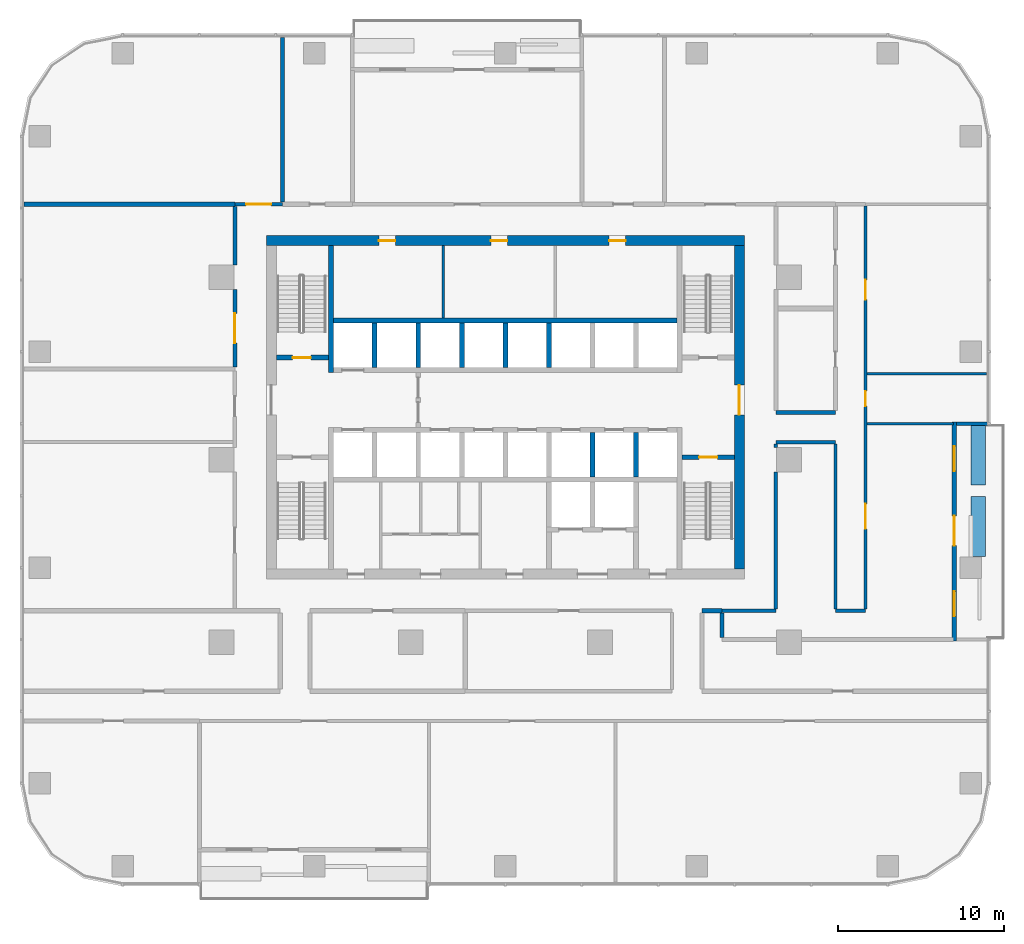
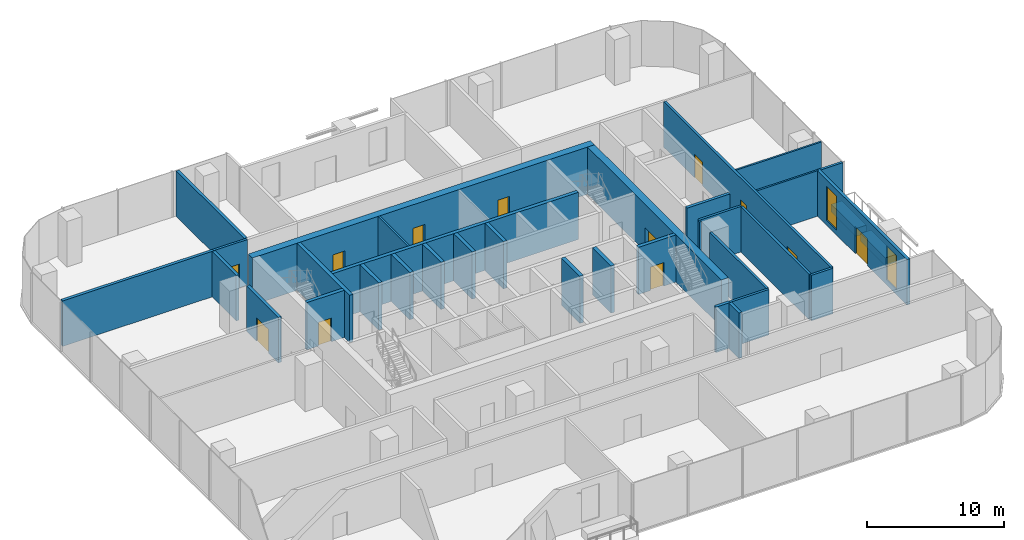
# One storey, part 9 of 14: 35 walls, 12 doors, 2 windows, 14 openings.
"""IFC4 building model written with IfcOpenShell, lengths in metres."""

from ifc_helpers import new_model, si_unit, direction, frame, frame_2d, origin, place, context, subcontext, project, spatial, rectangle, extrude, material, layer, layer_set, type_object, element, fill, save


model = new_model("IFC4")

# Units and contexts
model_context = context("Model", 3, precision=1e-05, world=origin(), true_north=direction((0.0, 1.0)))
body_context = subcontext(model_context, "Body", "Model", "MODEL_VIEW")
ifc_project = project(units=[si_unit("LENGTHUNIT", "METRE"), si_unit("AREAUNIT", "SQUARE_METRE"), si_unit("VOLUMEUNIT", "CUBIC_METRE"), si_unit("PLANEANGLEUNIT", "RADIAN"), si_unit("MASSUNIT", "GRAM", prefix="KILO")], contexts=[model_context])

# Site, building, storey
site_placement = place(None, origin())
site = spatial("IfcSite", under=ifc_project, at=site_placement, CompositionType="ELEMENT")
building_placement = place(site_placement, origin())
building = spatial("IfcBuilding", under=site, at=building_placement, Name="Mopane Tessera Tower", CompositionType="ELEMENT")
storey_placement = place(building_placement, frame((0.0, 0.0, 139.60009765625)))
storey = spatial("IfcBuildingStorey", under=building, at=storey_placement, Name="L28", CompositionType="ELEMENT", Elevation=139.60009765625)

# Wall
ifc_material_1 = material(Name="Fire-rated gypsum board partition")
ifc_layer_1 = layer(ifc_material_1, 0.14990234375)
ifc_layer_set_1 = layer_set([ifc_layer_1], Name="Fire-rated gypsum board partition")
wall_type_1 = type_object("IfcWallType", Name="Core room partition 150 mm", PredefinedType="PARTITIONING", material=ifc_layer_set_1)
wall_1_placement = place(storey_placement, frame((-3.75, 8.550048828125, 0.0), z_axis=(0.0, 0.0, 1.0), x_axis=(0.0, 1.0, 0.0)))
element("IfcWall", 1, at=wall_1_placement, inside=storey, type_object=wall_type_1, Name="L28 Room partition", PredefinedType="PARTITIONING", context=body_context, shape_type="SweptSolid", body=[
    extrude(rectangle(XDim=4.349853515625, YDim=0.14990234375, at=frame_2d((2.1748046875, 0.0))), origin(), (0.0, 0.0, 1.0), 4.199951171875),
])

# Wall, openings, doors
ifc_material_2 = material(Name="Concrete C70/85", Category="concrete")
ifc_layer_2 = layer(ifc_material_2, 0.60009765625)
ifc_layer_set_2 = layer_set([ifc_layer_2], Name="Concrete C70/85")
wall_type_2 = type_object("IfcWallType", Name="Core shear wall 600 mm", PredefinedType="SHEAR", material=ifc_layer_set_2)
wall_2_placement = place(storey_placement, frame((-14.39990234375, 13.199951171875, 0.0), z_axis=(0.0, 0.0, 1.0), x_axis=(1.0, 0.0, 0.0)))
wall_2 = element("IfcWall", 2, at=wall_2_placement, inside=storey, type_object=wall_type_2, Name="L28 Core wall north", PredefinedType="SHEAR", context=body_context, shape_type="SweptSolid", body=[
    extrude(rectangle(XDim=28.7998046875, YDim=0.60009765625, at=frame_2d((14.39990234375, 0.0))), origin(), (0.0, 0.0, 1.0), 4.199951171875),
])
opening_1_placement = place(wall_2_placement, frame((6.77490234375, 0.0, 0.0)))
opening_1 = element("IfcOpeningElement", 3, at=opening_1_placement, cuts=wall_2, Name="Opening RD1", PredefinedType="OPENING", context=body_context, shape_type="SweptSolid", body=[
    extrude(rectangle(XDim=1.0, YDim=2.10009765625, at=frame_2d((0.5, 1.050048828125))), frame((0.0, 0.31201171875, 0.0), z_axis=(0.0, -1.0, 0.0), x_axis=(1.0, 0.0, 0.0)), (0.0, 0.0, 1.0), 0.6240234375),
])
opening_2_placement = place(wall_2_placement, frame((13.52490234375, 0.0, 0.0)))
opening_2 = element("IfcOpeningElement", 4, at=opening_2_placement, cuts=wall_2, Name="Opening RD1", PredefinedType="OPENING", context=body_context, shape_type="SweptSolid", body=[
    extrude(rectangle(XDim=1.0, YDim=2.10009765625, at=frame_2d((0.5, 1.050048828125))), frame((0.0, 0.31201171875, 0.0), z_axis=(0.0, -1.0, 0.0), x_axis=(1.0, 0.0, 0.0)), (0.0, 0.0, 1.0), 0.6240234375),
])
opening_3_placement = place(wall_2_placement, frame((20.64990234375, 0.0, 0.0)))
opening_3 = element("IfcOpeningElement", 5, at=opening_3_placement, cuts=wall_2, Name="Opening RD1", PredefinedType="OPENING", context=body_context, shape_type="SweptSolid", body=[
    extrude(rectangle(XDim=1.0, YDim=2.10009765625, at=frame_2d((0.5, 1.050048828125))), frame((0.0, 0.31201171875, 0.0), z_axis=(0.0, -1.0, 0.0), x_axis=(1.0, 0.0, 0.0)), (0.0, 0.0, 1.0), 0.6240234375),
])
ifc_material_3 = material(Name="Timber door", Category="wood")
door_type_1 = type_object("IfcDoorType", Name="Core room door 1000 x 2100", OperationType="SINGLE_SWING_LEFT", PredefinedType="DOOR", material=ifc_material_3)
door_1_placement = place(opening_1_placement, origin())
door_1 = element("IfcDoor", 6, at=door_1_placement, inside=storey, type_object=door_type_1, Name="L28 Room door", OperationType="SINGLE_SWING_LEFT", OverallHeight=2.10009765625, OverallWidth=1.0, PredefinedType="DOOR", context=body_context, shape_type="SweptSolid", body=[
    extrude(rectangle(XDim=1.0, YDim=2.10009765625, at=frame_2d((0.5, 1.050048828125))), frame((0.0, 0.02490234375, 0.0), z_axis=(0.0, -1.0, 0.0), x_axis=(1.0, 0.0, 0.0)), (0.0, 0.0, 1.0), 0.050048828125),
])
fill(opening_1, door_1)
door_2_placement = place(opening_2_placement, origin())
door_2 = element("IfcDoor", 7, at=door_2_placement, inside=storey, type_object=door_type_1, Name="L28 Room door", OperationType="SINGLE_SWING_LEFT", OverallHeight=2.10009765625, OverallWidth=1.0, PredefinedType="DOOR", context=body_context, shape_type="SweptSolid", body=[
    extrude(rectangle(XDim=1.0, YDim=2.10009765625, at=frame_2d((0.5, 1.050048828125))), frame((0.0, 0.02490234375, 0.0), z_axis=(0.0, -1.0, 0.0), x_axis=(1.0, 0.0, 0.0)), (0.0, 0.0, 1.0), 0.050048828125),
])
fill(opening_2, door_2)
door_3_placement = place(opening_3_placement, origin())
door_3 = element("IfcDoor", 8, at=door_3_placement, inside=storey, type_object=door_type_1, Name="L28 Room door", OperationType="SINGLE_SWING_LEFT", OverallHeight=2.10009765625, OverallWidth=1.0, PredefinedType="DOOR", context=body_context, shape_type="SweptSolid", body=[
    extrude(rectangle(XDim=1.0, YDim=2.10009765625, at=frame_2d((0.5, 1.050048828125))), frame((0.0, 0.02490234375, 0.0), z_axis=(0.0, -1.0, 0.0), x_axis=(1.0, 0.0, 0.0)), (0.0, 0.0, 1.0), 0.050048828125),
])
fill(opening_3, door_3)

# Wall, opening, door
wall_3_placement = place(storey_placement, frame((14.10009765625, -6.60009765625, 0.0), z_axis=(0.0, 0.0, 1.0), x_axis=(0.0, 1.0, 0.0)))
wall_3 = element("IfcWall", 9, at=wall_3_placement, inside=storey, type_object=wall_type_2, Name="L28 Core wall east", PredefinedType="SHEAR", context=body_context, shape_type="SweptSolid", body=[
    extrude(rectangle(XDim=19.5, YDim=0.60009765625, at=frame_2d((9.75, 0.0))), origin(), (0.0, 0.0, 1.0), 4.199951171875),
])
opening_4_placement = place(wall_3_placement, frame((9.300048828125, 0.0, 0.0)))
opening_4 = element("IfcOpeningElement", 10, at=opening_4_placement, cuts=wall_3, Name="Opening SD2", PredefinedType="OPENING", context=body_context, shape_type="SweptSolid", body=[
    extrude(rectangle(XDim=1.800048828125, YDim=2.10009765625, at=frame_2d((0.89990234375, 1.050048828125))), frame((0.0, 0.31201171875, 0.0), z_axis=(0.0, -1.0, 0.0), x_axis=(1.0, 0.0, 0.0)), (0.0, 0.0, 1.0), 0.6240234375),
])
ifc_material_4 = material(Name="Steel fire door", Category="steel")
door_type_2 = type_object("IfcDoorType", Name="Core entrance double door 1800 x 2100", OperationType="DOUBLE_DOOR_SINGLE_SWING", PredefinedType="DOOR", material=ifc_material_4)
door_4_placement = place(opening_4_placement, origin())
door_4 = element("IfcDoor", 11, at=door_4_placement, inside=storey, type_object=door_type_2, Name="L28 Core entrance door east", OperationType="DOUBLE_DOOR_SINGLE_SWING", OverallHeight=2.10009765625, OverallWidth=1.800048828125, PredefinedType="DOOR", context=body_context, shape_type="SweptSolid", body=[
    extrude(rectangle(XDim=1.800048828125, YDim=2.10009765625, at=frame_2d((0.89990234375, 1.050048828125))), frame((0.0, 0.02490234375, 0.0), z_axis=(0.0, -1.0, 0.0), x_axis=(1.0, 0.0, 0.0)), (0.0, 0.0, 1.0), 0.050048828125),
])
fill(opening_4, door_4)

# Walls
ifc_material_5 = material(Name="Concrete C60/75", Category="concrete")
ifc_layer_3 = layer(ifc_material_5, 0.300048828125)
ifc_layer_set_3 = layer_set([ifc_layer_3], Name="Concrete C60/75")
wall_type_3 = type_object("IfcWallType", Name="Core spine wall 300 mm", PredefinedType="SHEAR", material=ifc_layer_set_3)
wall_4_placement = place(storey_placement, frame((-10.5, 5.25, 0.0), z_axis=(0.0, 0.0, 1.0), x_axis=(0.0, 1.0, 0.0)))
element("IfcWall", 12, at=wall_4_placement, inside=storey, type_object=wall_type_3, Name="L28 Core spine wall", PredefinedType="SHEAR", context=body_context, shape_type="SweptSolid", body=[
    extrude(rectangle(XDim=7.64990234375, YDim=0.300048828125, at=frame_2d((3.824951171875, 0.0))), origin(), (0.0, 0.0, 1.0), 4.199951171875),
])
ifc_material_6 = material(Name="Gypsum board on steel studs, two layers each face, mineral wool infill", Category="steel")
ifc_layer_4 = layer(ifc_material_6, 0.199951171875)
ifc_layer_set_4 = layer_set([ifc_layer_4], Name="Gypsum board on steel studs, two layers each face, mineral wool infill")
wall_type_4 = type_object("IfcWallType", Name="Gypsum board corridor wall 200, rated EI 60", PredefinedType="PARTITIONING", material=ifc_layer_set_4)
wall_5_placement = place(storey_placement, frame((13.050048828125, -9.10009765625, 0.0), z_axis=(0.0, 0.0, 1.0), x_axis=(1.0, 0.0, 0.0)))
element("IfcWall", 13, at=wall_5_placement, inside=storey, type_object=wall_type_4, Name="Partition L28:009", PredefinedType="PARTITIONING", context=body_context, shape_type="SweptSolid", body=[
    extrude(rectangle(XDim=3.25, YDim=0.199951171875, at=frame_2d((1.625, 0.0))), origin(), (0.0, 0.0, 1.0), 4.0498046875),
])
wall_6_placement = place(storey_placement, frame((19.89990234375, -9.10009765625, 0.0), z_axis=(0.0, 0.0, 1.0), x_axis=(1.0, 0.0, 0.0)))
element("IfcWall", 14, at=wall_6_placement, inside=storey, type_object=wall_type_4, Name="Partition L28:010", PredefinedType="PARTITIONING", context=body_context, shape_type="SweptSolid", body=[
    extrude(rectangle(XDim=1.800048828125, YDim=0.199951171875, at=frame_2d((0.89990234375, 0.0))), origin(), (0.0, 0.0, 1.0), 4.0498046875),
])
wall_7_placement = place(storey_placement, frame((16.300048828125, 1.050048828125, 0.0), z_axis=(0.0, 0.0, 1.0), x_axis=(1.0, 0.0, 0.0)))
element("IfcWall", 15, at=wall_7_placement, inside=storey, type_object=wall_type_4, Name="Partition L28:014", PredefinedType="PARTITIONING", context=body_context, shape_type="SweptSolid", body=[
    extrude(rectangle(XDim=3.599853515625, YDim=0.199951171875, at=frame_2d((1.7998046875, 0.0))), origin(), (0.0, 0.0, 1.0), 4.0498046875),
])

# Wall, opening, door
wall_8_placement = place(storey_placement, frame((-16.300048828125, 15.39990234375, 0.0), z_axis=(0.0, 0.0, 1.0), x_axis=(1.0, 0.0, 0.0)))
wall_8 = element("IfcWall", 16, at=wall_8_placement, inside=storey, type_object=wall_type_4, Name="Partition L28:022", PredefinedType="PARTITIONING", context=body_context, shape_type="SweptSolid", body=[
    extrude(rectangle(XDim=2.860107421875, YDim=0.199951171875, at=frame_2d((1.43017578125, 0.0))), origin(), (0.0, 0.0, 1.0), 4.0498046875),
])
opening_5_placement = place(wall_8_placement, frame((0.679931640625, 0.0, 0.0)))
opening_5 = element("IfcOpeningElement", 17, at=opening_5_placement, cuts=wall_8, Name="Opening L28-11", PredefinedType="OPENING", context=body_context, shape_type="SweptSolid", body=[
    extrude(rectangle(XDim=1.5, YDim=2.10009765625, at=frame_2d((0.75, 1.050048828125))), frame((0.0, 0.112060546875, 0.0), z_axis=(0.0, -1.0, 0.0), x_axis=(1.0, 0.0, 0.0)), (0.0, 0.0, 1.0), 0.223876953125),
])
ifc_material_7 = material(Name="Timber veneered steel-framed fire door", Category="steel")
door_type_3 = type_object("IfcDoorType", Name="Fire door pair FD60 1500 x 2100", OperationType="DOUBLE_DOOR_SINGLE_SWING", PredefinedType="DOOR", material=ifc_material_7)
door_5_placement = place(opening_5_placement, origin())
door_5 = element("IfcDoor", 18, at=door_5_placement, inside=storey, type_object=door_type_3, Name="Door L28-11", ObjectType="D17A", OperationType="DOUBLE_DOOR_SINGLE_SWING", OverallHeight=2.10009765625, OverallWidth=1.5, PredefinedType="DOOR", context=body_context, shape_type="SweptSolid", body=[
    extrude(rectangle(XDim=1.5, YDim=2.10009765625, at=frame_2d((0.75, 1.050048828125))), frame((0.0, 0.02490234375, 0.0), z_axis=(0.0, -1.0, 0.0), x_axis=(1.0, 0.0, 0.0)), (0.0, 0.0, 1.0), 0.050048828125),
])
fill(opening_5, door_5)

# Walls
wall_9_placement = place(storey_placement, frame((16.300048828125, -9.0, 0.0), z_axis=(0.0, 0.0, 1.0), x_axis=(0.0, 1.0, 0.0)))
element("IfcWall", 19, at=wall_9_placement, inside=storey, type_object=wall_type_4, Name="Partition L28:047", PredefinedType="PARTITIONING", context=body_context, shape_type="SweptSolid", body=[
    extrude(rectangle(XDim=8.25, YDim=0.199951171875, at=frame_2d((4.125, 0.0))), origin(), (0.0, 0.0, 1.0), 4.0498046875),
])
wall_10_placement = place(storey_placement, frame((16.300048828125, 0.75, 0.0), z_axis=(0.0, 0.0, 1.0), x_axis=(0.0, 1.0, 0.0)))
element("IfcWall", 20, at=wall_10_placement, inside=storey, type_object=wall_type_4, Name="Partition L28:048", PredefinedType="PARTITIONING", context=body_context, shape_type="SweptSolid", body=[
    extrude(rectangle(XDim=0.199951171875, YDim=0.199951171875, at=frame_2d((0.10009765625, 0.0))), origin(), (0.0, 0.0, 1.0), 4.0498046875),
])
wall_11_placement = place(storey_placement, frame((19.89990234375, -9.0, 0.0), z_axis=(0.0, 0.0, 1.0), x_axis=(0.0, 1.0, 0.0)))
element("IfcWall", 21, at=wall_11_placement, inside=storey, type_object=wall_type_4, Name="Partition L28:051", PredefinedType="PARTITIONING", context=body_context, shape_type="SweptSolid", body=[
    extrude(rectangle(XDim=9.949951171875, YDim=0.199951171875, at=frame_2d((4.97509765625, 0.0))), origin(), (0.0, 0.0, 1.0), 4.0498046875),
])

# Wall, openings, doors
wall_12_placement = place(storey_placement, frame((21.699951171875, -9.0, 0.0), z_axis=(0.0, 0.0, 1.0), x_axis=(0.0, 1.0, 0.0)))
wall_12 = element("IfcWall", 22, at=wall_12_placement, inside=storey, type_object=wall_type_4, Name="Partition L28:053", PredefinedType="PARTITIONING", context=body_context, shape_type="SweptSolid", body=[
    extrude(rectangle(XDim=24.300048828125, YDim=0.199951171875, at=frame_2d((12.14990234375, 0.0))), origin(), (0.0, 0.0, 1.0), 4.0498046875),
])
opening_6_placement = place(wall_12_placement, frame((18.64501953125, 0.0, 0.0)))
opening_6 = element("IfcOpeningElement", 23, at=opening_6_placement, cuts=wall_12, Name="Opening L28-07", PredefinedType="OPENING", context=body_context, shape_type="SweptSolid", body=[
    extrude(rectangle(XDim=1.199951171875, YDim=2.10009765625, at=frame_2d((0.60009765625, 1.050048828125))), frame((0.0, 0.112060546875, 0.0), z_axis=(0.0, -1.0, 0.0), x_axis=(1.0, 0.0, 0.0)), (0.0, 0.0, 1.0), 0.223876953125),
])
opening_7_placement = place(wall_12_placement, frame((4.83251953125, 0.0, 0.0)))
opening_7 = element("IfcOpeningElement", 24, at=opening_7_placement, cuts=wall_12, Name="Opening L28-14", PredefinedType="OPENING", context=body_context, shape_type="SweptSolid", body=[
    extrude(rectangle(XDim=1.5, YDim=2.10009765625, at=frame_2d((0.75, 1.050048828125))), frame((0.0, 0.112060546875, 0.0), z_axis=(0.0, -1.0, 0.0), x_axis=(1.0, 0.0, 0.0)), (0.0, 0.0, 1.0), 0.223876953125),
])
opening_8_placement = place(wall_12_placement, frame((12.2275390625, 0.0, 0.0)))
opening_8 = element("IfcOpeningElement", 25, at=opening_8_placement, cuts=wall_12, Name="Opening L28-21", PredefinedType="OPENING", context=body_context, shape_type="SweptSolid", body=[
    extrude(rectangle(XDim=0.89990234375, YDim=2.10009765625, at=frame_2d((0.449951171875, 1.050048828125))), frame((0.0, 0.112060546875, 0.0), z_axis=(0.0, -1.0, 0.0), x_axis=(1.0, 0.0, 0.0)), (0.0, 0.0, 1.0), 0.223876953125),
])
ifc_material_8 = material(Name="Timber veneered steel-framed fire door", Category="steel")
door_type_4 = type_object("IfcDoorType", Name="Fire door FD60 1200 x 2100", OperationType="SINGLE_SWING_LEFT", PredefinedType="DOOR", material=ifc_material_8)
door_6_placement = place(opening_6_placement, origin())
door_6 = element("IfcDoor", 26, at=door_6_placement, inside=storey, type_object=door_type_4, Name="Door L28-07", ObjectType="D15A", OperationType="SINGLE_SWING_LEFT", OverallHeight=2.10009765625, OverallWidth=1.199951171875, PredefinedType="DOOR", context=body_context, shape_type="SweptSolid", body=[
    extrude(rectangle(XDim=1.199951171875, YDim=2.10009765625, at=frame_2d((0.60009765625, 1.050048828125))), frame((0.0, 0.02490234375, 0.0), z_axis=(0.0, -1.0, 0.0), x_axis=(1.0, 0.0, 0.0)), (0.0, 0.0, 1.0), 0.050048828125),
])
fill(opening_6, door_6)
ifc_material_9 = material(Name="Timber veneered steel-framed fire door", Category="steel")
door_type_5 = type_object("IfcDoorType", Name="Fire door FD60 900 x 2100", OperationType="SINGLE_SWING_LEFT", PredefinedType="DOOR", material=ifc_material_9)
door_7_placement = place(opening_8_placement, origin())
door_7 = element("IfcDoor", 27, at=door_7_placement, inside=storey, type_object=door_type_5, Name="Door L28-21", ObjectType="D10A", OperationType="SINGLE_SWING_LEFT", OverallHeight=2.10009765625, OverallWidth=0.89990234375, PredefinedType="DOOR", context=body_context, shape_type="SweptSolid", body=[
    extrude(rectangle(XDim=0.89990234375, YDim=2.10009765625, at=frame_2d((0.449951171875, 1.050048828125))), frame((0.0, 0.02490234375, 0.0), z_axis=(0.0, -1.0, 0.0), x_axis=(1.0, 0.0, 0.0)), (0.0, 0.0, 1.0), 0.050048828125),
])
fill(opening_8, door_7)
door_8_placement = place(opening_7_placement, origin())
door_8 = element("IfcDoor", 28, at=door_8_placement, inside=storey, type_object=door_type_3, Name="Door L28-14", ObjectType="D17A", OperationType="DOUBLE_DOOR_SINGLE_SWING", OverallHeight=2.10009765625, OverallWidth=1.5, PredefinedType="DOOR", context=body_context, shape_type="SweptSolid", body=[
    extrude(rectangle(XDim=1.5, YDim=2.10009765625, at=frame_2d((0.75, 1.050048828125))), frame((0.0, 0.02490234375, 0.0), z_axis=(0.0, -1.0, 0.0), x_axis=(1.0, 0.0, 0.0)), (0.0, 0.0, 1.0), 0.050048828125),
])
fill(opening_7, door_8)

# Walls
ifc_material_10 = material(Name="Gypsum board on steel studs, mineral wool infill", Category="steel")
ifc_layer_5 = layer(ifc_material_10, 0.14990234375)
ifc_layer_set_5 = layer_set([ifc_layer_5], Name="Gypsum board on steel studs, mineral wool infill")
wall_type_5 = type_object("IfcWallType", Name="Gypsum board partition 150, rated EI 60", PredefinedType="PARTITIONING", material=ifc_layer_set_5)
wall_13_placement = place(storey_placement, frame((21.800048828125, 2.1650390625, 0.0), z_axis=(0.0, 0.0, 1.0), x_axis=(1.0, 0.0, 0.0)))
element("IfcWall", 29, at=wall_13_placement, inside=storey, type_object=wall_type_5, Name="Partition L28:016", PredefinedType="PARTITIONING", context=body_context, shape_type="SweptSolid", body=[
    extrude(rectangle(XDim=5.199951171875, YDim=0.14990234375, at=frame_2d((2.60009765625, 0.0))), origin(), (0.0, 0.0, 1.0), 4.0498046875),
])
wall_14_placement = place(storey_placement, frame((21.800048828125, 5.18994140625, 0.0), z_axis=(0.0, 0.0, 1.0), x_axis=(1.0, 0.0, 0.0)))
element("IfcWall", 30, at=wall_14_placement, inside=storey, type_object=wall_type_5, Name="Partition L28:018", PredefinedType="PARTITIONING", context=body_context, shape_type="SweptSolid", body=[
    extrude(rectangle(XDim=7.199951171875, YDim=0.14990234375, at=frame_2d((3.60009765625, 0.0))), origin(), (0.0, 0.0, 1.0), 4.0498046875),
])

# Wall, opening, door
ifc_material_11 = material(Name="Concrete C50/60", Category="concrete")
ifc_layer_6 = layer(ifc_material_11, 0.300048828125)
ifc_layer_set_6 = layer_set([ifc_layer_6], Name="Concrete C50/60")
wall_type_6 = type_object("IfcWallType", Name="Lift and stair shaft wall 300 mm", PredefinedType="SOLIDWALL", material=ifc_layer_set_6)
wall_15_placement = place(storey_placement, frame((-13.800048828125, 6.14990234375, 0.0), z_axis=(0.0, 0.0, 1.0), x_axis=(1.0, 0.0, 0.0)))
wall_15 = element("IfcWall", 31, at=wall_15_placement, inside=storey, type_object=wall_type_6, Name="L28 Stair enclosure wall", PredefinedType="SOLIDWALL", context=body_context, shape_type="SweptSolid", body=[
    extrude(rectangle(XDim=3.150146484375, YDim=0.300048828125, at=frame_2d((1.5751953125, 0.0))), origin(), (0.0, 0.0, 1.0), 4.199951171875),
])
opening_9_placement = place(wall_15_placement, frame((0.97509765625, 0.0, 0.0)))
opening_9 = element("IfcOpeningElement", 32, at=opening_9_placement, cuts=wall_15, Name="Opening SD1", PredefinedType="OPENING", context=body_context, shape_type="SweptSolid", body=[
    extrude(rectangle(XDim=1.10009765625, YDim=2.10009765625, at=frame_2d((0.550048828125, 1.050048828125))), frame((0.0, 0.162109375, 0.0), z_axis=(0.0, -1.0, 0.0), x_axis=(1.0, 0.0, 0.0)), (0.0, 0.0, 1.0), 0.323974609375),
])
ifc_material_12 = material(Name="Steel fire door", Category="steel")
door_type_6 = type_object("IfcDoorType", Name="Stair fire door 1100 x 2100", OperationType="SINGLE_SWING_LEFT", PredefinedType="DOOR", material=ifc_material_12)
door_9_placement = place(opening_9_placement, origin())
door_9 = element("IfcDoor", 33, at=door_9_placement, inside=storey, type_object=door_type_6, Name="L28 Stair door ST2", OperationType="SINGLE_SWING_LEFT", OverallHeight=2.10009765625, OverallWidth=1.10009765625, PredefinedType="DOOR", context=body_context, shape_type="SweptSolid", body=[
    extrude(rectangle(XDim=1.10009765625, YDim=2.10009765625, at=frame_2d((0.550048828125, 1.050048828125))), frame((0.0, 0.02490234375, 0.0), z_axis=(0.0, -1.0, 0.0), x_axis=(1.0, 0.0, 0.0)), (0.0, 0.0, 1.0), 0.050048828125),
])
fill(opening_9, door_9)

wall_16_placement = place(storey_placement, frame((10.64990234375, 0.14990234375, 0.0), z_axis=(0.0, 0.0, 1.0), x_axis=(1.0, 0.0, 0.0)))
wall_16 = element("IfcWall", 34, at=wall_16_placement, inside=storey, type_object=wall_type_6, Name="L28 Stair enclosure wall", PredefinedType="SOLIDWALL", context=body_context, shape_type="SweptSolid", body=[
    extrude(rectangle(XDim=3.150146484375, YDim=0.300048828125, at=frame_2d((1.5751953125, 0.0))), origin(), (0.0, 0.0, 1.0), 4.199951171875),
])
opening_10_placement = place(wall_16_placement, frame((1.02490234375, 0.0, 0.0)))
opening_10 = element("IfcOpeningElement", 35, at=opening_10_placement, cuts=wall_16, Name="Opening SD1", PredefinedType="OPENING", context=body_context, shape_type="SweptSolid", body=[
    extrude(rectangle(XDim=1.10009765625, YDim=2.10009765625, at=frame_2d((0.550048828125, 1.050048828125))), frame((0.0, 0.162109375, 0.0), z_axis=(0.0, -1.0, 0.0), x_axis=(1.0, 0.0, 0.0)), (0.0, 0.0, 1.0), 0.323974609375),
])
door_10_placement = place(opening_10_placement, origin())
door_10 = element("IfcDoor", 36, at=door_10_placement, inside=storey, type_object=door_type_6, Name="L28 Stair door ST3", OperationType="SINGLE_SWING_RIGHT", OverallHeight=2.10009765625, OverallWidth=1.10009765625, PredefinedType="DOOR", context=body_context, shape_type="SweptSolid", body=[
    extrude(rectangle(XDim=1.10009765625, YDim=2.10009765625, at=frame_2d((0.550048828125, 1.050048828125))), frame((0.0, 0.02490234375, 0.0), z_axis=(0.0, -1.0, 0.0), x_axis=(1.0, 0.0, 0.0)), (0.0, 0.0, 1.0), 0.050048828125),
])
fill(opening_10, door_10)

# Walls
wall_17_placement = place(storey_placement, frame((-10.35009765625, 8.39990234375, 0.0), z_axis=(0.0, 0.0, 1.0), x_axis=(1.0, 0.0, 0.0)))
element("IfcWall", 37, at=wall_17_placement, inside=storey, type_object=wall_type_6, Name="L28 Lift shaft rear wall", PredefinedType="SOLIDWALL", context=body_context, shape_type="SweptSolid", body=[
    extrude(rectangle(XDim=20.7001953125, YDim=0.300048828125, at=frame_2d((10.35009765625, 0.0))), origin(), (0.0, 0.0, 1.0), 4.199951171875),
])
for number, where, z_axis, x_axis, name in (
    (38, (5.25, -1.050048828125, 0.0), (0.0, 0.0, 1.0), (0.0, 1.0, 0.0), "L28 Lift shaft wall"),
    (39, (7.875, -1.050048828125, 0.0), (0.0, 0.0, 1.0), (0.0, 1.0, 0.0), "L28 Lift shaft wall"),
    (40, (-7.875, 5.550048828125, 0.0), (0.0, 0.0, 1.0), (0.0, 1.0, 0.0), "L28 Lift shaft wall"),
    (41, (-5.25, 5.550048828125, 0.0), (0.0, 0.0, 1.0), (0.0, 1.0, 0.0), "L28 Lift shaft wall"),
    (42, (-2.625, 5.550048828125, 0.0), (0.0, 0.0, 1.0), (0.0, 1.0, 0.0), "L28 Lift shaft wall"),
    (43, (0.0, 5.550048828125, 0.0), (0.0, 0.0, 1.0), (0.0, 1.0, 0.0), "L28 Lift shaft wall"),
    (44, (2.625, 5.550048828125, 0.0), (0.0, 0.0, 1.0), (0.0, 1.0, 0.0), "L28 Lift shaft wall"),
):
    element("IfcWall", number, at=place(storey_placement, frame(where, z_axis=z_axis, x_axis=x_axis)), inside=storey, type_object=wall_type_6, Name=name, PredefinedType="SOLIDWALL", context=body_context, shape_type="SweptSolid", body=[
        extrude(rectangle(XDim=2.699951171875, YDim=0.300048828125, at=frame_2d((1.35009765625, 0.0))), origin(), (0.0, 0.0, 1.0), 4.199951171875),
    ])
ifc_material_13 = material(Name="Reinforced concrete C32/40 with waterproofing", Category="concrete")
ifc_layer_7 = layer(ifc_material_13, 0.89990234375)
ifc_layer_set_7 = layer_set([ifc_layer_7], Name="Reinforced concrete C32/40 with waterproofing")
wall_type_7 = type_object("IfcWallType", Name="Planter trough 3600 x 900", PredefinedType="STANDARD", material=ifc_layer_set_7)
for number, where, z_axis, x_axis, name in (
    (45, (28.5, -5.830078125, 0.0), (0.0, 0.0, 1.0), (0.0, 1.0, 0.0), "e:nw:L28:N3:pl0"),
    (46, (28.5, -1.533447265625, 0.0), (0.0, 0.0, 1.0), (0.0, 1.0, 0.0), "e:nw:L28:N3:pl1"),
):
    element("IfcWall", number, at=place(storey_placement, frame(where, z_axis=z_axis, x_axis=x_axis)), inside=storey, type_object=wall_type_7, Name=name, PredefinedType="STANDARD", context=body_context, shape_type="SweptSolid", body=[
        extrude(rectangle(XDim=3.60009765625, YDim=0.89990234375, at=frame_2d((1.800048828125, 0.0))), origin(), (0.0, 0.0, 1.0), 0.699951171875),
    ])
ifc_material_14 = material(Name="Plastered concrete blockwork C20/25", Category="masonry")
ifc_layer_8 = layer(ifc_material_14, 0.25)
ifc_layer_set_8 = layer_set([ifc_layer_8], Name="Plastered concrete blockwork C20/25")
wall_type_8 = type_object("IfcWallType", Name="Plastered blockwork wall 250, rated EI 120", PredefinedType="PARTITIONING", material=ifc_layer_set_8)
wall_18_placement = place(storey_placement, frame((11.844970703125, -9.10009765625, 0.0), z_axis=(0.0, 0.0, 1.0), x_axis=(1.0, 0.0, 0.0)))
element("IfcWall", 47, at=wall_18_placement, inside=storey, type_object=wall_type_8, Name="Partition L28:013", PredefinedType="PARTITIONING", context=body_context, shape_type="SweptSolid", body=[
    extrude(rectangle(XDim=1.205078125, YDim=0.25, at=frame_2d((0.6025390625, 0.0))), origin(), (0.0, 0.0, 1.0), 4.0498046875),
])
wall_19_placement = place(storey_placement, frame((16.300048828125, 2.85009765625, 0.0), z_axis=(0.0, 0.0, 1.0), x_axis=(1.0, 0.0, 0.0)))
element("IfcWall", 48, at=wall_19_placement, inside=storey, type_object=wall_type_8, Name="Partition L28:017", PredefinedType="PARTITIONING", context=body_context, shape_type="SweptSolid", body=[
    extrude(rectangle(XDim=3.599853515625, YDim=0.25, at=frame_2d((1.7998046875, 0.0))), origin(), (0.0, 0.0, 1.0), 4.0498046875),
])
wall_20_placement = place(storey_placement, frame((-29.0, 15.39990234375, 0.0), z_axis=(0.0, 0.0, 1.0), x_axis=(1.0, 0.0, 0.0)))
element("IfcWall", 49, at=wall_20_placement, inside=storey, type_object=wall_type_8, Name="Partition L28:026", PredefinedType="PARTITIONING", context=body_context, shape_type="SweptSolid", body=[
    extrude(rectangle(XDim=12.699951171875, YDim=0.25, at=frame_2d((6.35009765625, 0.0))), origin(), (0.0, 0.0, 1.0), 4.0498046875),
])

# Wall, opening, door
wall_21_placement = place(storey_placement, frame((-16.300048828125, 5.60009765625, 0.0), z_axis=(0.0, 0.0, 1.0), x_axis=(0.0, 1.0, 0.0)))
wall_21 = element("IfcWall", 50, at=wall_21_placement, inside=storey, type_object=wall_type_8, Name="Partition L28:033", PredefinedType="PARTITIONING", context=body_context, shape_type="SweptSolid", body=[
    extrude(rectangle(XDim=4.64990234375, YDim=0.25, at=frame_2d((2.324951171875, 0.0))), origin(), (0.0, 0.0, 1.0), 4.0498046875),
])
opening_11_placement = place(wall_21_placement, frame((1.425048828125, 0.0, 0.0)))
opening_11 = element("IfcOpeningElement", 51, at=opening_11_placement, cuts=wall_21, Name="Opening L28-05", PredefinedType="OPENING", context=body_context, shape_type="SweptSolid", body=[
    extrude(rectangle(XDim=1.800048828125, YDim=2.10009765625, at=frame_2d((0.89990234375, 1.050048828125))), frame((0.0, 0.136962890625, 0.0), z_axis=(0.0, -1.0, 0.0), x_axis=(1.0, 0.0, 0.0)), (0.0, 0.0, 1.0), 0.27392578125),
])
ifc_material_15 = material(Name="Timber veneered steel-framed fire door", Category="steel")
door_type_7 = type_object("IfcDoorType", Name="Fire door pair FD120 1800 x 2100", OperationType="DOUBLE_DOOR_SINGLE_SWING", PredefinedType="DOOR", material=ifc_material_15)
door_11_placement = place(opening_11_placement, origin())
door_11 = element("IfcDoor", 52, at=door_11_placement, inside=storey, type_object=door_type_7, Name="Door L28-05", ObjectType="D20B", OperationType="DOUBLE_DOOR_SINGLE_SWING", OverallHeight=2.10009765625, OverallWidth=1.800048828125, PredefinedType="DOOR", context=body_context, shape_type="SweptSolid", body=[
    extrude(rectangle(XDim=1.800048828125, YDim=2.10009765625, at=frame_2d((0.89990234375, 1.050048828125))), frame((0.0, 0.02490234375, 0.0), z_axis=(0.0, -1.0, 0.0), x_axis=(1.0, 0.0, 0.0)), (0.0, 0.0, 1.0), 0.050048828125),
])
fill(opening_11, door_11)

# Walls
wall_22_placement = place(storey_placement, frame((-16.300048828125, 11.75, 0.0), z_axis=(0.0, 0.0, 1.0), x_axis=(0.0, 1.0, 0.0)))
element("IfcWall", 53, at=wall_22_placement, inside=storey, type_object=wall_type_8, Name="Partition L28:034", PredefinedType="PARTITIONING", context=body_context, shape_type="SweptSolid", body=[
    extrude(rectangle(XDim=3.52490234375, YDim=0.25, at=frame_2d((1.762451171875, 0.0))), origin(), (0.0, 0.0, 1.0), 4.0498046875),
])
wall_23_placement = place(storey_placement, frame((-13.43994140625, 15.52490234375, 0.0), z_axis=(0.0, 0.0, 1.0), x_axis=(0.0, 1.0, 0.0)))
element("IfcWall", 54, at=wall_23_placement, inside=storey, type_object=wall_type_8, Name="Partition L28:036", PredefinedType="PARTITIONING", context=body_context, shape_type="SweptSolid", body=[
    extrude(rectangle(XDim=9.925048828125, YDim=0.25, at=frame_2d((4.96240234375, 0.0))), origin(), (0.0, 0.0, 1.0), 4.0498046875),
])
wall_24_placement = place(storey_placement, frame((13.050048828125, -10.7099609375, 0.0), z_axis=(0.0, 0.0, 1.0), x_axis=(0.0, 1.0, 0.0)))
element("IfcWall", 55, at=wall_24_placement, inside=storey, type_object=wall_type_8, Name="Partition L28:046", PredefinedType="PARTITIONING", context=body_context, shape_type="SweptSolid", body=[
    extrude(rectangle(XDim=1.48486328125, YDim=0.25, at=frame_2d((0.742431640625, 0.0))), origin(), (0.0, 0.0, 1.0), 4.0498046875),
])
ifc_material_16 = material(Name="Blockwork with glazed tile facing", Category="masonry")
ifc_layer_9 = layer(ifc_material_16, 0.199951171875)
ifc_layer_set_9 = layer_set([ifc_layer_9], Name="Blockwork with glazed tile facing")
wall_type_9 = type_object("IfcWallType", Name="Terrace cheek wall 200", PredefinedType="STANDARD", material=ifc_layer_set_9)
wall_25_placement = place(storey_placement, frame((29.050048828125, 2.166748046875, 0.0), z_axis=(0.0, 0.0, 1.0), x_axis=(-1.0, 0.0, 0.0)))
element("IfcWall", 56, at=wall_25_placement, inside=storey, type_object=wall_type_9, Name="e:nw:L28:N3:cheekb", PredefinedType="STANDARD", context=body_context, shape_type="SweptSolid", body=[
    extrude(rectangle(XDim=1.875, YDim=0.199951171875, at=frame_2d((0.9375, 0.0))), origin(), (0.0, 0.0, 1.0), 4.0498046875),
])

# Wall, openings, windows, door
ifc_material_17 = material(Name="Blockwork with ultramarine glazed tile facing", Category="masonry")
ifc_layer_10 = layer(ifc_material_17, 0.25)
ifc_layer_set_10 = layer_set([ifc_layer_10], Name="Blockwork with ultramarine glazed tile facing")
wall_type_10 = type_object("IfcWallType", Name="Tile-clad external wall 250, ultramarine", PredefinedType="STANDARD", material=ifc_layer_set_10)
wall_26_placement = place(storey_placement, frame((27.050048828125, -10.933349609375, 0.0), z_axis=(0.0, 0.0, 1.0), x_axis=(0.0, 1.0, 0.0)))
wall_26 = element("IfcWall", 57, at=wall_26_placement, inside=storey, type_object=wall_type_10, Name="e:nw:L28:N3:back", PredefinedType="STANDARD", context=body_context, shape_type="SweptSolid", body=[
    extrude(rectangle(XDim=13.199951171875, YDim=0.25, at=frame_2d((6.60009765625, 0.0))), origin(), (0.0, 0.0, 1.0), 4.0498046875),
])
opening_12_placement = place(wall_26_placement, frame((1.5, 0.0, 0.449951171875)))
opening_12 = element("IfcOpeningElement", 58, at=opening_12_placement, cuts=wall_26, Name="Opening NW283A", PredefinedType="OPENING", context=body_context, shape_type="SweptSolid", body=[
    extrude(rectangle(XDim=1.5, YDim=3.0, at=frame_2d((0.75, 1.5))), frame((0.0, 0.136962890625, 0.0), z_axis=(0.0, -1.0, 0.0), x_axis=(1.0, 0.0, 0.0)), (0.0, 0.0, 1.0), 0.27392578125),
])
opening_13_placement = place(wall_26_placement, frame((5.75, 0.0, 0.0)))
opening_13 = element("IfcOpeningElement", 59, at=opening_13_placement, cuts=wall_26, Name="Opening ND283", PredefinedType="OPENING", context=body_context, shape_type="SweptSolid", body=[
    extrude(rectangle(XDim=1.800048828125, YDim=2.39990234375, at=frame_2d((0.89990234375, 1.199951171875))), frame((0.0, 0.136962890625, 0.0), z_axis=(0.0, -1.0, 0.0), x_axis=(1.0, 0.0, 0.0)), (0.0, 0.0, 1.0), 0.27392578125),
])
opening_14_placement = place(wall_26_placement, frame((10.25, 0.0, 0.449951171875)))
opening_14 = element("IfcOpeningElement", 60, at=opening_14_placement, cuts=wall_26, Name="Opening NW283B", PredefinedType="OPENING", context=body_context, shape_type="SweptSolid", body=[
    extrude(rectangle(XDim=1.5, YDim=3.0, at=frame_2d((0.75, 1.5))), frame((0.0, 0.136962890625, 0.0), z_axis=(0.0, -1.0, 0.0), x_axis=(1.0, 0.0, 0.0)), (0.0, 0.0, 1.0), 0.27392578125),
])
ifc_material_18 = material(Name="Clear laminated glass", Category="glass")
window_type = type_object("IfcWindowType", Name="Fixed window 1500 x 3000", PartitioningType="SINGLE_PANEL", PredefinedType="WINDOW", material=ifc_material_18)
window_1_placement = place(opening_12_placement, origin())
window_1 = element("IfcWindow", 61, at=window_1_placement, inside=storey, type_object=window_type, Name="e:nw:L28:N3:win0", OverallHeight=3.0, OverallWidth=1.5, PartitioningType="SINGLE_PANEL", PredefinedType="WINDOW", context=body_context, shape_type="SweptSolid", body=[
    extrude(rectangle(XDim=1.5, YDim=3.0, at=frame_2d((0.75, 1.5))), frame((0.0, 0.030029296875, 0.0), z_axis=(0.0, -1.0, 0.0), x_axis=(1.0, 0.0, 0.0)), (0.0, 0.0, 1.0), 0.06005859375),
])
fill(opening_12, window_1)
window_2_placement = place(opening_14_placement, origin())
window_2 = element("IfcWindow", 62, at=window_2_placement, inside=storey, type_object=window_type, Name="e:nw:L28:N3:win2", OverallHeight=3.0, OverallWidth=1.5, PartitioningType="SINGLE_PANEL", PredefinedType="WINDOW", context=body_context, shape_type="SweptSolid", body=[
    extrude(rectangle(XDim=1.5, YDim=3.0, at=frame_2d((0.75, 1.5))), frame((0.0, 0.030029296875, 0.0), z_axis=(0.0, -1.0, 0.0), x_axis=(1.0, 0.0, 0.0)), (0.0, 0.0, 1.0), 0.06005859375),
])
fill(opening_14, window_2)
ifc_material_19 = material(Name="Aluminium and clear glass", Category="aluminium")
door_type_8 = type_object("IfcDoorType", Name="Terrace double door 1800 x 2400", OperationType="DOUBLE_DOOR_SINGLE_SWING", PredefinedType="DOOR", material=ifc_material_19)
door_12_placement = place(opening_13_placement, origin())
door_12 = element("IfcDoor", 63, at=door_12_placement, inside=storey, type_object=door_type_8, Name="e:nw:L28:N3:door", ObjectType="D1", OperationType="DOUBLE_DOOR_SINGLE_SWING", OverallHeight=2.39990234375, OverallWidth=1.800048828125, PredefinedType="DOOR", context=body_context, shape_type="SweptSolid", body=[
    extrude(rectangle(XDim=1.800048828125, YDim=2.39990234375, at=frame_2d((0.89990234375, 1.199951171875))), frame((0.0, 0.02490234375, 0.0), z_axis=(0.0, -1.0, 0.0), x_axis=(1.0, 0.0, 0.0)), (0.0, 0.0, 1.0), 0.050048828125),
])
fill(opening_13, door_12)

save(model, "model.ifc")
